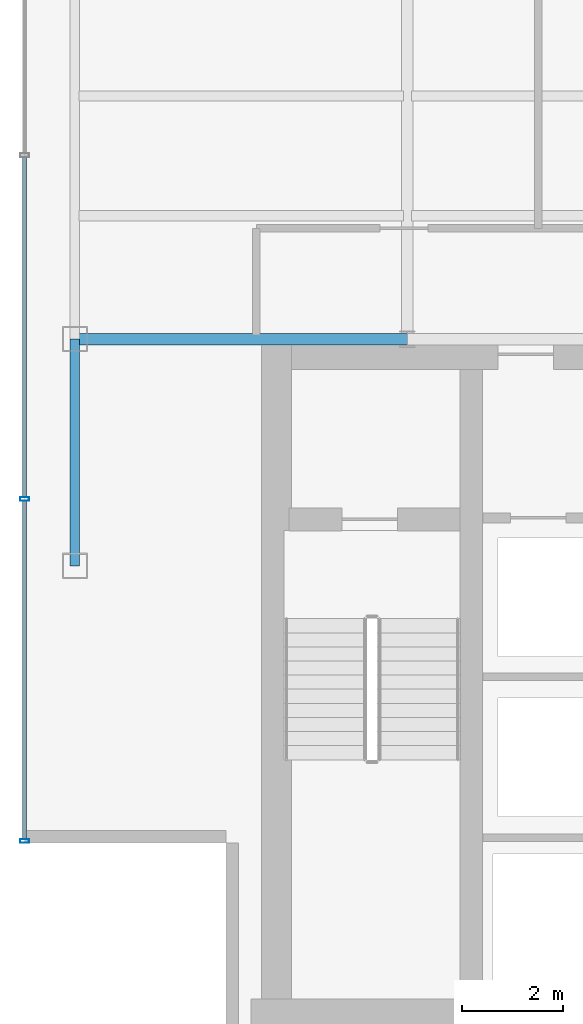
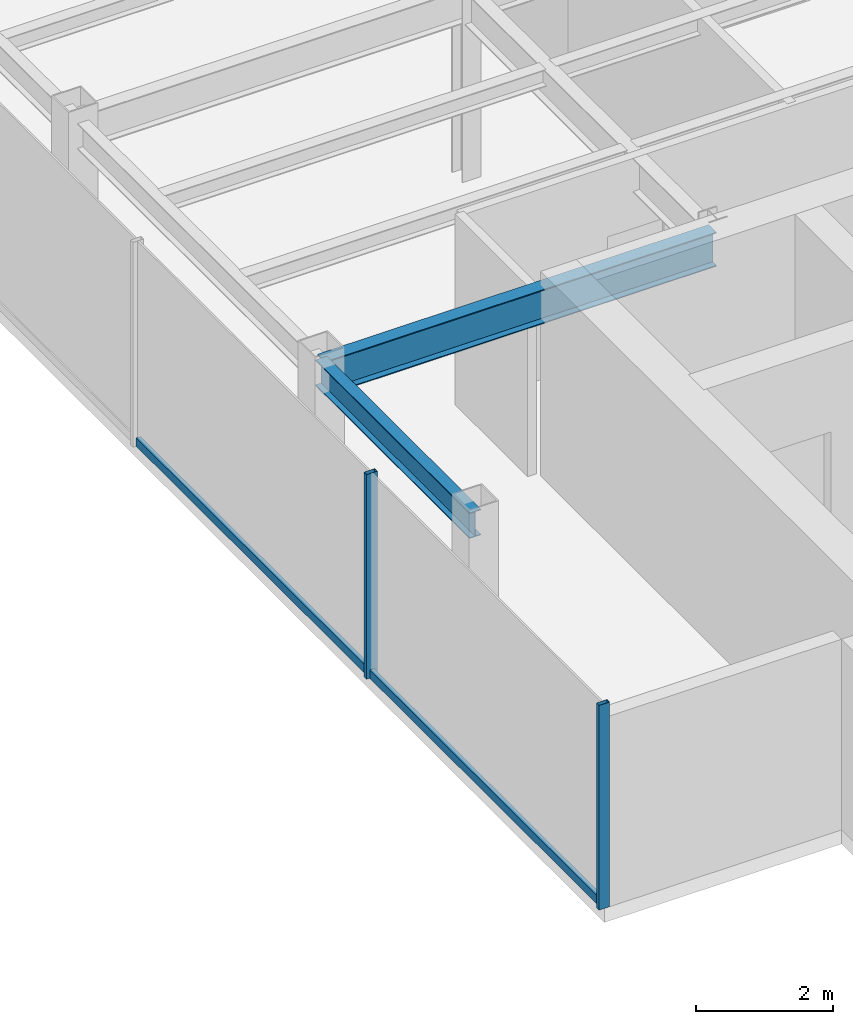
# One storey, part 3 of 22: 4 members, 2 beams, 1 element without a shape of its own.
"""IFC4 building model written with IfcOpenShell, lengths in metres."""

from ifc_helpers import new_model, si_unit, derived_unit, direction, frame, origin, origin_2d, place, context, subcontext, project, spatial, hollow_rectangle, i_section, extrude, source, transform, mapped, material, material_profile, profile_set, type_object, element, aggregate, save


model = new_model("IFC4")

# Units and contexts
model_context = context("Model", 3, precision=1e-05, world=origin(), true_north=direction((0.0, 1.0)))
body_context = subcontext(model_context, "Body", "Model", "MODEL_VIEW")
ifc_project = project(units=[si_unit("LENGTHUNIT", "METRE"), si_unit("AREAUNIT", "SQUARE_METRE"), si_unit("VOLUMEUNIT", "CUBIC_METRE"), si_unit("PLANEANGLEUNIT", "RADIAN"), si_unit("MASSUNIT", "GRAM", prefix="KILO"), derived_unit("THERMALTRANSMITTANCEUNIT", [(si_unit("POWERUNIT", "WATT"), 1), (si_unit("LENGTHUNIT", "METRE"), -2), (si_unit("THERMODYNAMICTEMPERATUREUNIT", "KELVIN"), -1)])], contexts=[model_context])

# Site, building, storey
site_placement = place(None, origin())
site = spatial("IfcSite", under=ifc_project, at=site_placement, CompositionType="ELEMENT")
building_placement = place(site_placement, origin())
building = spatial("IfcBuilding", under=site, at=building_placement, Name="Skarnbrae Concourse Arena and Tower", CompositionType="ELEMENT")
storey_placement = place(building_placement, frame((0.0, 0.0, 269.75)))
storey = spatial("IfcBuildingStorey", under=building, at=storey_placement, Name="L70", CompositionType="ELEMENT", Elevation=269.75)

# Beams
ifc_material_1 = material(Name="Steel CSA G40.21 350W", Category="steel")
ifc_material_profile_1 = material_profile(ifc_material_1, i_section(OverallWidth=0.22802734375, OverallDepth=0.60791015625, WebThickness=0.01123046875, FlangeThickness=0.017333984375, at=origin_2d()), Name="W610X113")
ifc_profile_set_1 = profile_set([ifc_material_profile_1], Name="Steel CSA G40.21 350W")
beam_type_1 = type_object("IfcBeamType", Name="BM-GIRD-W610X113", PredefinedType="BEAM", material=ifc_profile_set_1)
shared_shape_1 = source(origin(), body_context, "Body", "SweptSolid", [
    extrude(i_section(OverallWidth=0.22802734375, OverallDepth=0.60791015625, WebThickness=0.01123046875, FlangeThickness=0.017333984375, at=origin_2d()), origin(), (0.0, 0.0, 1.0), 6.60009765625),
])
beam_1_placement = place(storey_placement, frame((1.0, 14.0, 3.095947265625), z_axis=(1.0, 0.0, 0.0), x_axis=(0.0, 1.0, 0.0)))
element("IfcBeam", 1, at=beam_1_placement, inside=storey, type_object=beam_type_1, Name="L70 Primary E-W girder Y14.0-1", PredefinedType="BEAM", context=body_context, shape_type="MappedRepresentation", body=[
    mapped(shared_shape_1, transform((0.0, 0.0, 0.0))),
])
ifc_material_profile_2 = material_profile(ifc_material_1, i_section(OverallWidth=0.19091796875, OverallDepth=0.4599609375, WebThickness=0.010009765625, FlangeThickness=0.01611328125, at=origin_2d()), Name="W460X82")
ifc_profile_set_2 = profile_set([ifc_material_profile_2], Name="Steel CSA G40.21 350W")
beam_type_2 = type_object("IfcBeamType", Name="BM-SPAN-W460X82", PredefinedType="SPANDREL", material=ifc_profile_set_2)
shared_shape_2 = source(origin(), body_context, "Body", "SweptSolid", [
    extrude(i_section(OverallWidth=0.19091796875, OverallDepth=0.4599609375, WebThickness=0.010009765625, FlangeThickness=0.01611328125, at=origin_2d()), origin(), (0.0, 0.0, 1.0), 4.5),
])
beam_2_placement = place(storey_placement, frame((1.0, 9.5, 3.169921875), z_axis=(0.0, 1.0, 0.0), x_axis=(-1.0, 0.0, 0.0)))
element("IfcBeam", 2, at=beam_2_placement, inside=storey, type_object=beam_type_2, Name="L70 Perimeter spandrel X1.0-1", PredefinedType="SPANDREL", context=body_context, shape_type="MappedRepresentation", body=[
    mapped(shared_shape_2, transform((0.0, 0.0, 0.0))),
])

# Curtain wall, members
ifc_material_2 = material(Name="Bronze anodised aluminium 6063-T6", Category="aluminium")
curtain_wall_type = type_object("IfcCurtainWallType", Name="CW-SYS-05-HIGHZONE", PredefinedType="USERDEFINED", material=ifc_material_2)
curtain_wall_placement = place(storey_placement, origin())
curtain_wall = element("IfcCurtainWall", 3, at=curtain_wall_placement, inside=storey, type_object=curtain_wall_type, Name="L70 Unitised curtain wall CW-L70-E18", ObjectType="UNITISED CURTAIN WALL", PredefinedType="USERDEFINED")
ifc_material_profile_3 = material_profile(ifc_material_2, hollow_rectangle(XDim=0.074951171875, YDim=0.179931640625, WallThickness=0.00390625, at=origin_2d()), Name="ALU-MULL-75X180")
ifc_profile_set_3 = profile_set([ifc_material_profile_3], Name="Bronze anodised aluminium 6063-T6")
member_type_1 = type_object("IfcMemberType", Name="CWM-CW-05", PredefinedType="MULLION", material=ifc_profile_set_3)
shared_shape_3 = source(origin(), body_context, "Body", "SweptSolid", [
    extrude(hollow_rectangle(XDim=0.074951171875, YDim=0.179931640625, WallThickness=0.00390625, at=origin_2d()), origin(), (0.0, 0.0, 1.0), 3.64990234375),
])
member_1_placement = place(storey_placement, frame((0.0, 10.824951171875, 0.0), z_axis=(0.0, 0.0, 1.0), x_axis=(0.0, -1.0, 0.0)))
member_1 = element("IfcMember", 4, at=member_1_placement, type_object=member_type_1, Name="CW-L70-E18 Mullion 4", PredefinedType="MULLION", context=body_context, shape_type="MappedRepresentation", body=[
    mapped(shared_shape_3, transform((0.0, 0.0, 0.0))),
])
member_2_placement = place(storey_placement, frame((0.0, 4.03759765625, 0.0), z_axis=(0.0, 0.0, 1.0), x_axis=(0.0, -1.0, 0.0)))
member_2 = element("IfcMember", 5, at=member_2_placement, type_object=member_type_1, Name="CW-L70-E18 Mullion 5", PredefinedType="MULLION", context=body_context, shape_type="MappedRepresentation", body=[
    mapped(shared_shape_3, transform((0.0, 0.0, 0.0))),
])
ifc_material_profile_4 = material_profile(ifc_material_2, hollow_rectangle(XDim=0.074951171875, YDim=0.14990234375, WallThickness=0.00390625, at=origin_2d()), Name="ALU-TRAN-75X150")
ifc_profile_set_4 = profile_set([ifc_material_profile_4], Name="Bronze anodised aluminium 6063-T6")
member_type_2 = type_object("IfcMemberType", Name="CWT-CW-05", PredefinedType="USERDEFINED", material=ifc_profile_set_4)
shared_shape_4 = source(origin(), body_context, "Body", "SweptSolid", [
    extrude(hollow_rectangle(XDim=0.074951171875, YDim=0.14990234375, WallThickness=0.00390625, at=origin_2d()), origin(), (0.0, 0.0, 1.0), 6.712646484375),
])
member_3_placement = place(storey_placement, frame((0.0, 10.78759765625, 0.074951171875), z_axis=(0.0, -1.0, 0.0), x_axis=(1.0, 0.0, 0.0)))
member_3 = element("IfcMember", 6, at=member_3_placement, type_object=member_type_2, Name="CW-L70-E18 Transom 4", ObjectType="TRANSOM", PredefinedType="USERDEFINED", context=body_context, shape_type="MappedRepresentation", body=[
    mapped(shared_shape_4, transform((0.0, 0.0, 0.0))),
])
shared_shape_5 = source(origin(), body_context, "Body", "SweptSolid", [
    extrude(hollow_rectangle(XDim=0.074951171875, YDim=0.14990234375, WallThickness=0.00390625, at=origin_2d()), origin(), (0.0, 0.0, 1.0), 6.75),
])
member_4_placement = place(storey_placement, frame((0.0, 17.612548828125, 0.074951171875), z_axis=(0.0, -1.0, 0.0), x_axis=(1.0, 0.0, 0.0)))
member_4 = element("IfcMember", 7, at=member_4_placement, type_object=member_type_2, Name="CW-L70-E18 Transom 3", ObjectType="TRANSOM", PredefinedType="USERDEFINED", context=body_context, shape_type="MappedRepresentation", body=[
    mapped(shared_shape_5, transform((0.0, 0.0, 0.0))),
])
aggregate(curtain_wall, [member_1, member_2, member_4, member_3])

save(model, "model.ifc")
